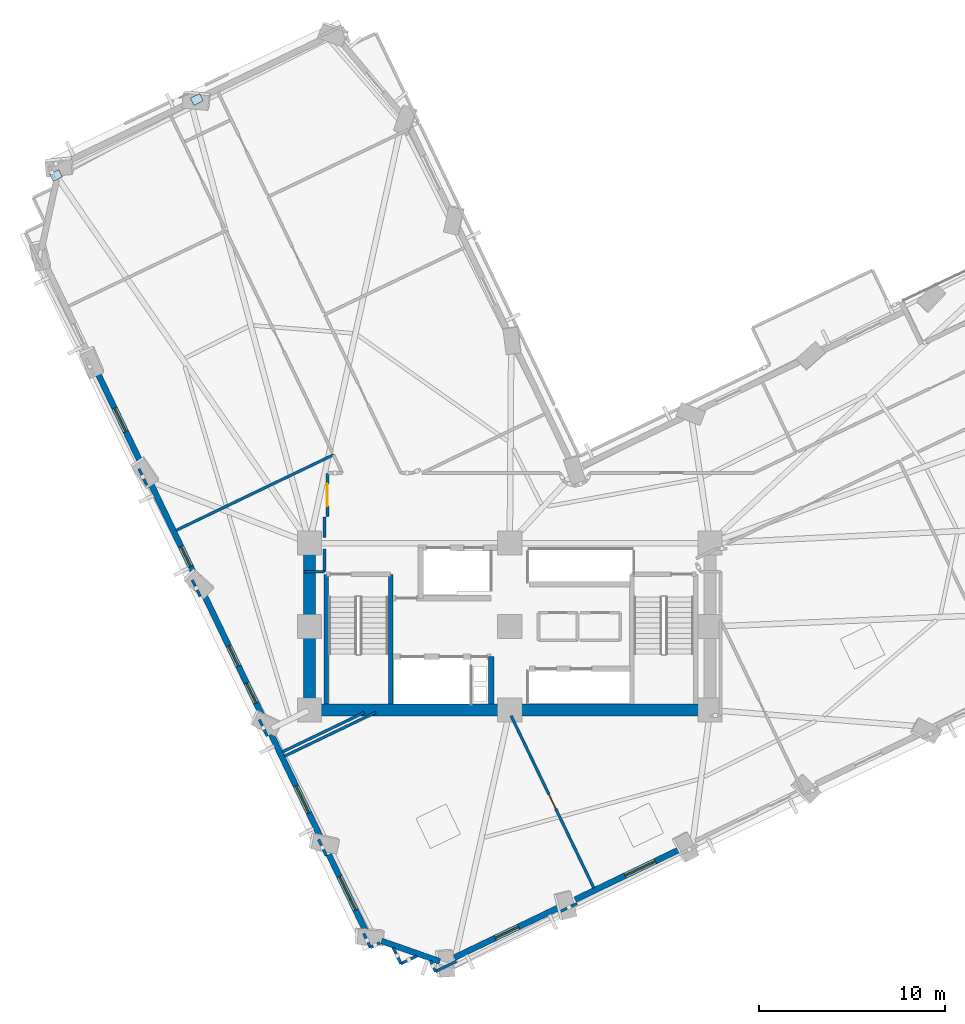
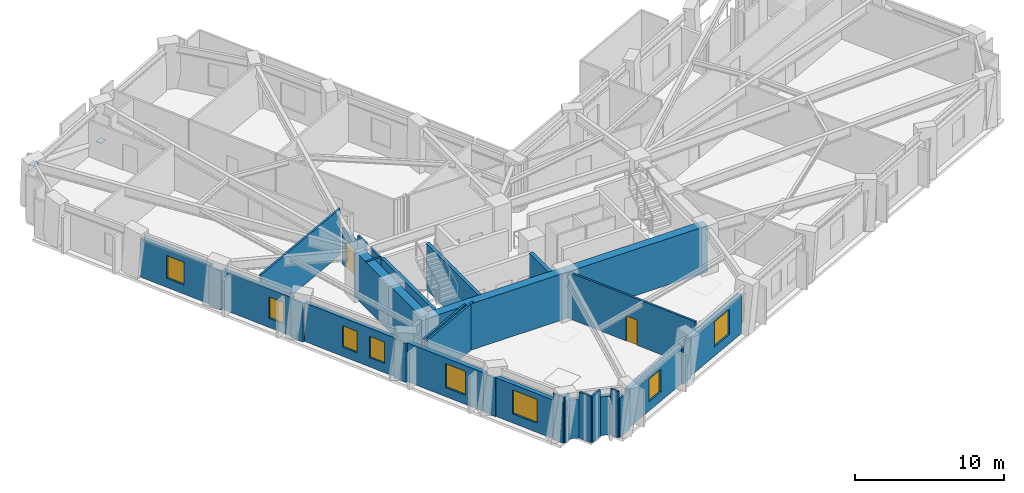
# One storey, part 7 of 16: 33 walls, 8 windows, 2 doors, 2 plates, 10 openings.
"""IFC4 building model written with IfcOpenShell, lengths in metres."""

from ifc_helpers import new_model, si_unit, direction, frame, frame_2d, origin, origin_2d, place, context, subcontext, project, spatial, rectangle, extrude, material, layer, layer_set, type_object, element, fill, save


model = new_model("IFC4")

# Units and contexts
model_context = context("Model", 3, precision=1e-05, world=origin(), true_north=direction((0.0, 1.0)))
body_context = subcontext(model_context, "Body", "Model", "MODEL_VIEW")
ifc_project = project(units=[si_unit("LENGTHUNIT", "METRE"), si_unit("AREAUNIT", "SQUARE_METRE"), si_unit("VOLUMEUNIT", "CUBIC_METRE"), si_unit("PLANEANGLEUNIT", "RADIAN"), si_unit("MASSUNIT", "GRAM", prefix="KILO")], contexts=[model_context])

# Site, building, storey
site_placement = place(None, origin())
site = spatial("IfcSite", under=ifc_project, at=site_placement, CompositionType="ELEMENT")
building_placement = place(site_placement, origin())
building = spatial("IfcBuilding", under=site, at=building_placement, Name="Gaonmaruhae Medical Tower", CompositionType="ELEMENT")
storey_placement = place(building_placement, frame((0.0, 0.0, 132.39990234375)))
storey = spatial("IfcBuildingStorey", under=building, at=storey_placement, Name="L31", CompositionType="ELEMENT", Elevation=132.39990234375)

# Plates
ifc_material_1 = material(Name="Steel HSA650 (650 MPa)", Category="steel")
ifc_layer_1 = layer(ifc_material_1, 0.028076171875)
ifc_layer_set_1 = layer_set([ifc_layer_1], Name="Steel HSA650 (650 MPa)")
plate_type = type_object("IfcPlateType", Name="GP-02 Tube Brace End Cap Gusset Plate", PredefinedType="USERDEFINED", material=ifc_layer_set_1)
for number, where, z_axis, x_axis, name in (
    (1, (7.934814453125, 40.707763671875, 0.23583984375), (0.0, 0.0, 1.0), (0.901455117112, 0.43287258152, 0.0), "L31 Gusset Cap Plate PLT-L31-PBR-N02A"),
    (2, (0.342529296875, 36.6083984375, 3.51611328125), (0.0, 0.0, 1.0), (0.894154236839, 0.447759087839, 0.0), "L31 Gusset Cap Plate PLT-L31-PBR-N02B"),
):
    element("IfcPlate", number, at=place(storey_placement, frame(where, z_axis=z_axis, x_axis=x_axis)), inside=storey, type_object=plate_type, Name=name, ObjectType="GUSSET_PLATE", PredefinedType="USERDEFINED", context=body_context, shape_type="SweptSolid", body=[
        extrude(rectangle(XDim=0.56005859375, YDim=0.43994140625, at=origin_2d()), origin(), (0.0, 0.0, 1.0), 0.028076171875),
    ])

# Walls
ifc_material_2 = material(Name="Concrete C60/75", Category="concrete")
ifc_layer_2 = layer(ifc_material_2, 0.64990234375)
ifc_layer_set_2 = layer_set([ifc_layer_2], Name="Concrete C60/75")
wall_type_1 = type_object("IfcWallType", Name="CW-650 Zone 2 Core Shear Wall", PredefinedType="SHEAR", material=ifc_layer_set_2)
for number, where, z_axis, x_axis, name in (
    (3, (14.0, 7.800048828125, 0.0), (0.0, 0.0, 1.0), (1.0, 0.0, 0.0), "L31 Core Shear Wall CSW-S1"),
    (4, (24.800048828125, 7.800048828125, 0.0), (0.0, 0.0, 1.0), (1.0, 0.0, 0.0), "L31 Core Shear Wall CSW-S2"),
):
    element("IfcWall", number, at=place(storey_placement, frame(where, z_axis=z_axis, x_axis=x_axis)), inside=storey, type_object=wall_type_1, Name=name, PredefinedType="SHEAR", context=body_context, shape_type="SweptSolid", body=[
        extrude(rectangle(XDim=10.800048828125, YDim=0.64990234375, at=frame_2d((5.39990234375, 0.0))), origin(), (0.0, 0.0, 1.0), 3.780029296875),
    ])
wall_1_placement = place(storey_placement, frame((14.0, 16.800048828125, 0.0), z_axis=(0.0, 0.0, 1.0), x_axis=(0.0, -1.0, 0.0)))
element("IfcWall", 5, at=wall_1_placement, inside=storey, type_object=wall_type_1, Name="L31 Core Shear Wall CSW-W1", PredefinedType="SHEAR", context=body_context, shape_type="SweptSolid", body=[
    extrude(rectangle(XDim=9.0, YDim=0.64990234375, at=frame_2d((4.5, 0.0))), origin(), (0.0, 0.0, 1.0), 3.780029296875),
])

# Wall, opening, window
ifc_material_3 = material(Name="Precast concrete C45/55", Category="concrete")
ifc_layer_3 = layer(ifc_material_3, 0.320068359375)
ifc_layer_set_3 = layer_set([ifc_layer_3], Name="Precast concrete C45/55")
wall_type_2 = type_object("IfcWallType", Name="EW-320 Lower Precast Masonry-Frame Facade Wall", PredefinedType="SOLIDWALL", material=ifc_layer_set_3)
wall_2_placement = place(storey_placement, frame((27.46484375, -2.828369140625, 0.0), z_axis=(0.0, 0.0, 1.0), x_axis=(-0.901454385559, -0.432874104974, 0.0)))
wall_2 = element("IfcWall", 6, at=wall_2_placement, inside=storey, type_object=wall_type_2, Name="L31 Precast Masonry-Frame Wall S01-S02", PredefinedType="SOLIDWALL", context=body_context, shape_type="SweptSolid", body=[
    extrude(rectangle(XDim=6.27001953125, YDim=0.320068359375, at=frame_2d((3.135009765625, 0.0))), origin(), (0.0, 0.0, 1.0), 3.1650390625),
])
opening_1_placement = place(wall_2_placement, frame((2.429443359375, 0.0, 0.75)))
opening_1 = element("IfcOpeningElement", 7, at=opening_1_placement, cuts=wall_2, Name="Opening WN-03", PredefinedType="OPENING", context=body_context, shape_type="SweptSolid", body=[
    extrude(rectangle(XDim=1.39990234375, YDim=1.85009765625, at=frame_2d((0.699951171875, 0.925048828125))), frame((0.0, 0.169921875, 0.0), z_axis=(0.0, -1.0, 0.0), x_axis=(1.0, 0.0, 0.0)), (0.0, 0.0, 1.0), 0.340087890625),
])
ifc_material_4 = material(Name="Anodised aluminium and Low-E double glazing", Category="aluminium")
window_type_1 = type_object("IfcWindowType", Name="WN-03 Isolation Ward Punched Window 1400x1850", PartitioningType="SINGLE_PANEL", PredefinedType="WINDOW", material=ifc_material_4)
window_1_placement = place(opening_1_placement, origin())
window_1 = element("IfcWindow", 8, at=window_1_placement, inside=storey, type_object=window_type_1, Name="L31 Modular Facade Window S01", OverallHeight=1.85009765625, OverallWidth=1.39990234375, PartitioningType="SINGLE_PANEL", PredefinedType="WINDOW", context=body_context, shape_type="SweptSolid", body=[
    extrude(rectangle(XDim=1.39990234375, YDim=1.85009765625, at=frame_2d((0.699951171875, 0.925048828125))), frame((0.0, 0.030029296875, 0.0), z_axis=(0.0, -1.0, 0.0), x_axis=(1.0, 0.0, 0.0)), (0.0, 0.0, 1.0), 0.06005859375),
])
fill(opening_1, window_1)

wall_3_placement = place(storey_placement, frame((33.9423828125, 0.281982421875, 0.0), z_axis=(0.0, 0.0, 1.0), x_axis=(-0.901463771703, -0.432854557914, 0.0)))
wall_3 = element("IfcWall", 9, at=wall_3_placement, inside=storey, type_object=wall_type_2, Name="L31 Precast Masonry-Frame Wall S02-S03", PredefinedType="SOLIDWALL", context=body_context, shape_type="SweptSolid", body=[
    extrude(rectangle(XDim=6.234130859375, YDim=0.320068359375, at=frame_2d((3.1171875, 0.0))), origin(), (0.0, 0.0, 1.0), 3.1650390625),
])
opening_2_placement = place(wall_3_placement, frame((1.444580078125, 0.0, 0.75)))
opening_2 = element("IfcOpeningElement", 10, at=opening_2_placement, cuts=wall_3, Name="Opening WN-04", PredefinedType="OPENING", context=body_context, shape_type="SweptSolid", body=[
    extrude(rectangle(XDim=1.800048828125, YDim=2.050048828125, at=frame_2d((0.89990234375, 1.02490234375))), frame((0.0, 0.169921875, 0.0), z_axis=(0.0, -1.0, 0.0), x_axis=(1.0, 0.0, 0.0)), (0.0, 0.0, 1.0), 0.340087890625),
])
window_type_2 = type_object("IfcWindowType", Name="WN-04 Clinic & Consult Punched Window 1800x2050", PartitioningType="SINGLE_PANEL", PredefinedType="WINDOW", material=ifc_material_4)
window_2_placement = place(opening_2_placement, origin())
window_2 = element("IfcWindow", 11, at=window_2_placement, inside=storey, type_object=window_type_2, Name="L31 Modular Facade Window S02", OverallHeight=2.050048828125, OverallWidth=1.800048828125, PartitioningType="SINGLE_PANEL", PredefinedType="WINDOW", context=body_context, shape_type="SweptSolid", body=[
    extrude(rectangle(XDim=1.800048828125, YDim=2.050048828125, at=frame_2d((0.89990234375, 1.02490234375))), frame((0.0, 0.030029296875, 0.0), z_axis=(0.0, -1.0, 0.0), x_axis=(1.0, 0.0, 0.0)), (0.0, 0.0, 1.0), 0.06005859375),
])
fill(opening_2, window_2)

wall_4_placement = place(storey_placement, frame((5.018310546875, 20.907470703125, 0.0), z_axis=(0.0, 0.0, 1.0), x_axis=(-0.432857991495, 0.901462122997, 0.0)))
wall_4 = element("IfcWall", 12, at=wall_4_placement, inside=storey, type_object=wall_type_2, Name="L31 Precast Masonry-Frame Wall W02-W03", PredefinedType="SOLIDWALL", context=body_context, shape_type="SweptSolid", body=[
    extrude(rectangle(XDim=5.627685546875, YDim=0.320068359375, at=frame_2d((2.81396484375, 0.0))), origin(), (0.0, 0.0, 1.0), 3.1650390625),
])
opening_3_placement = place(wall_4_placement, frame((2.111083984375, 0.0, 0.75)))
opening_3 = element("IfcOpeningElement", 13, at=opening_3_placement, cuts=wall_4, Name="Opening WN-03", PredefinedType="OPENING", context=body_context, shape_type="SweptSolid", body=[
    extrude(rectangle(XDim=1.39990234375, YDim=1.85009765625, at=frame_2d((0.699951171875, 0.925048828125))), frame((0.0, 0.169921875, 0.0), z_axis=(0.0, -1.0, 0.0), x_axis=(1.0, 0.0, 0.0)), (0.0, 0.0, 1.0), 0.340087890625),
])
window_3_placement = place(opening_3_placement, origin())
window_3 = element("IfcWindow", 14, at=window_3_placement, inside=storey, type_object=window_type_1, Name="L31 Modular Facade Window W02", OverallHeight=1.85009765625, OverallWidth=1.39990234375, PartitioningType="SINGLE_PANEL", PredefinedType="WINDOW", context=body_context, shape_type="SweptSolid", body=[
    extrude(rectangle(XDim=1.39990234375, YDim=1.85009765625, at=frame_2d((0.699951171875, 0.925048828125))), frame((0.0, 0.030029296875, 0.0), z_axis=(0.0, -1.0, 0.0), x_axis=(1.0, 0.0, 0.0)), (0.0, 0.0, 1.0), 0.06005859375),
])
fill(opening_3, window_3)

wall_5_placement = place(storey_placement, frame((7.894775390625, 14.91748046875, 0.0), z_axis=(0.0, 0.0, 1.0), x_axis=(-0.432875447472, 0.901453740896, 0.0)))
wall_5 = element("IfcWall", 15, at=wall_5_placement, inside=storey, type_object=wall_type_2, Name="L31 Precast Masonry-Frame Wall W03-W04", PredefinedType="SOLIDWALL", context=body_context, shape_type="SweptSolid", body=[
    extrude(rectangle(XDim=5.661865234375, YDim=0.320068359375, at=frame_2d((2.8310546875, 0.0))), origin(), (0.0, 0.0, 1.0), 3.1650390625),
])
opening_4_placement = place(wall_5_placement, frame((0.685791015625, 0.0, 0.75)))
opening_4 = element("IfcOpeningElement", 16, at=opening_4_placement, cuts=wall_5, Name="Opening WN-05", PredefinedType="OPENING", context=body_context, shape_type="SweptSolid", body=[
    extrude(rectangle(XDim=1.199951171875, YDim=1.75, at=frame_2d((0.60009765625, 0.875))), frame((0.0, 0.169921875, 0.0), z_axis=(0.0, -1.0, 0.0), x_axis=(1.0, 0.0, 0.0)), (0.0, 0.0, 1.0), 0.340087890625),
])
window_type_3 = type_object("IfcWindowType", Name="WN-05 Support & Staff Punched Window 1200x1750", PartitioningType="SINGLE_PANEL", PredefinedType="WINDOW", material=ifc_material_4)
window_4_placement = place(opening_4_placement, origin())
window_4 = element("IfcWindow", 17, at=window_4_placement, inside=storey, type_object=window_type_3, Name="L31 Modular Facade Window W03", OverallHeight=1.75, OverallWidth=1.199951171875, PartitioningType="SINGLE_PANEL", PredefinedType="WINDOW", context=body_context, shape_type="SweptSolid", body=[
    extrude(rectangle(XDim=1.199951171875, YDim=1.75, at=frame_2d((0.60009765625, 0.875))), frame((0.0, 0.030029296875, 0.0), z_axis=(0.0, -1.0, 0.0), x_axis=(1.0, 0.0, 0.0)), (0.0, 0.0, 1.0), 0.06005859375),
])
fill(opening_4, window_4)

# Wall, openings, windows
wall_6_placement = place(storey_placement, frame((11.51025390625, 7.38818359375, 0.0), z_axis=(0.0, 0.0, 1.0), x_axis=(-0.43286693409, 0.901457828948, 0.0)))
wall_6 = element("IfcWall", 18, at=wall_6_placement, inside=storey, type_object=wall_type_2, Name="L31 Precast Masonry-Frame Wall W04-W05", PredefinedType="SOLIDWALL", context=body_context, shape_type="SweptSolid", body=[
    extrude(rectangle(XDim=7.3603515625, YDim=0.320068359375, at=frame_2d((3.68017578125, 0.0))), origin(), (0.0, 0.0, 1.0), 3.1650390625),
])
opening_5_placement = place(wall_6_placement, frame((3.080810546875, 0.0, 0.75)))
opening_5 = element("IfcOpeningElement", 19, at=opening_5_placement, cuts=wall_6, Name="Opening WN-05", PredefinedType="OPENING", context=body_context, shape_type="SweptSolid", body=[
    extrude(rectangle(XDim=1.199951171875, YDim=1.75, at=frame_2d((0.60009765625, 0.875))), frame((0.0, 0.169921875, 0.0), z_axis=(0.0, -1.0, 0.0), x_axis=(1.0, 0.0, 0.0)), (0.0, 0.0, 1.0), 0.340087890625),
])
opening_6_placement = place(wall_6_placement, frame((0.876220703125, 0.0, 0.75)))
opening_6 = element("IfcOpeningElement", 20, at=opening_6_placement, cuts=wall_6, Name="Opening WN-05", PredefinedType="OPENING", context=body_context, shape_type="SweptSolid", body=[
    extrude(rectangle(XDim=1.199951171875, YDim=1.75, at=frame_2d((0.60009765625, 0.875))), frame((0.0, 0.169921875, 0.0), z_axis=(0.0, -1.0, 0.0), x_axis=(1.0, 0.0, 0.0)), (0.0, 0.0, 1.0), 0.340087890625),
])
window_5_placement = place(opening_5_placement, origin())
window_5 = element("IfcWindow", 21, at=window_5_placement, inside=storey, type_object=window_type_3, Name="L31 Modular Facade Window W04", OverallHeight=1.75, OverallWidth=1.199951171875, PartitioningType="SINGLE_PANEL", PredefinedType="WINDOW", context=body_context, shape_type="SweptSolid", body=[
    extrude(rectangle(XDim=1.199951171875, YDim=1.75, at=frame_2d((0.60009765625, 0.875))), frame((0.0, 0.030029296875, 0.0), z_axis=(0.0, -1.0, 0.0), x_axis=(1.0, 0.0, 0.0)), (0.0, 0.0, 1.0), 0.06005859375),
])
fill(opening_5, window_5)
window_6_placement = place(opening_6_placement, origin())
window_6 = element("IfcWindow", 22, at=window_6_placement, inside=storey, type_object=window_type_3, Name="L31 Modular Facade Window W04B", OverallHeight=1.75, OverallWidth=1.199951171875, PartitioningType="SINGLE_PANEL", PredefinedType="WINDOW", context=body_context, shape_type="SweptSolid", body=[
    extrude(rectangle(XDim=1.199951171875, YDim=1.75, at=frame_2d((0.60009765625, 0.875))), frame((0.0, 0.030029296875, 0.0), z_axis=(0.0, -1.0, 0.0), x_axis=(1.0, 0.0, 0.0)), (0.0, 0.0, 1.0), 0.06005859375),
])
fill(opening_6, window_6)

# Wall, opening, window
wall_7_placement = place(storey_placement, frame((14.631103515625, 0.888916015625, 0.0), z_axis=(0.0, 0.0, 1.0), x_axis=(-0.432861148753, 0.90146060696, 0.0)))
wall_7 = element("IfcWall", 23, at=wall_7_placement, inside=storey, type_object=wall_type_2, Name="L31 Precast Masonry-Frame Wall W05-W06", PredefinedType="SOLIDWALL", context=body_context, shape_type="SweptSolid", body=[
    extrude(rectangle(XDim=6.223388671875, YDim=0.320068359375, at=frame_2d((3.11181640625, 0.0))), origin(), (0.0, 0.0, 1.0), 3.1650390625),
])
opening_7_placement = place(wall_7_placement, frame((1.520263671875, 0.0, 0.75)))
opening_7 = element("IfcOpeningElement", 24, at=opening_7_placement, cuts=wall_7, Name="Opening WN-01", PredefinedType="OPENING", context=body_context, shape_type="SweptSolid", body=[
    extrude(rectangle(XDim=1.60009765625, YDim=1.949951171875, at=frame_2d((0.800048828125, 0.97509765625))), frame((0.0, 0.169921875, 0.0), z_axis=(0.0, -1.0, 0.0), x_axis=(1.0, 0.0, 0.0)), (0.0, 0.0, 1.0), 0.340087890625),
])
window_type_4 = type_object("IfcWindowType", Name="WN-01 Ward Punched Acoustic Window 1600x1950", PartitioningType="SINGLE_PANEL", PredefinedType="WINDOW", material=ifc_material_4)
window_7_placement = place(opening_7_placement, origin())
window_7 = element("IfcWindow", 25, at=window_7_placement, inside=storey, type_object=window_type_4, Name="L31 Modular Facade Window W05", OverallHeight=1.949951171875, OverallWidth=1.60009765625, PartitioningType="SINGLE_PANEL", PredefinedType="WINDOW", context=body_context, shape_type="SweptSolid", body=[
    extrude(rectangle(XDim=1.60009765625, YDim=1.949951171875, at=frame_2d((0.800048828125, 0.97509765625))), frame((0.0, 0.030029296875, 0.0), z_axis=(0.0, -1.0, 0.0), x_axis=(1.0, 0.0, 0.0)), (0.0, 0.0, 1.0), 0.06005859375),
])
fill(opening_7, window_7)

wall_8_placement = place(storey_placement, frame((17.06103515625, -4.171142578125, 0.0), z_axis=(0.0, 0.0, 1.0), x_axis=(-0.432867688068, 0.901457466898, 0.0)))
wall_8 = element("IfcWall", 26, at=wall_8_placement, inside=storey, type_object=wall_type_2, Name="L31 Precast Masonry-Frame Wall W06-W07", PredefinedType="SOLIDWALL", context=body_context, shape_type="SweptSolid", body=[
    extrude(rectangle(XDim=4.6474609375, YDim=0.320068359375, at=frame_2d((2.32373046875, 0.0))), origin(), (0.0, 0.0, 1.0), 3.1650390625),
])
opening_8_placement = place(wall_8_placement, frame((1.3271484375, 0.0, 0.75)))
opening_8 = element("IfcOpeningElement", 27, at=opening_8_placement, cuts=wall_8, Name="Opening WN-02", PredefinedType="OPENING", context=body_context, shape_type="SweptSolid", body=[
    extrude(rectangle(XDim=2.0, YDim=1.949951171875, at=frame_2d((1.0, 0.97509765625))), frame((0.0, 0.169921875, 0.0), z_axis=(0.0, -1.0, 0.0), x_axis=(1.0, 0.0, 0.0)), (0.0, 0.0, 1.0), 0.340087890625),
])
window_type_5 = type_object("IfcWindowType", Name="WN-02 Double-Bed Ward Punched Window 2000x1950", PartitioningType="SINGLE_PANEL", PredefinedType="WINDOW", material=ifc_material_4)
window_8_placement = place(opening_8_placement, origin())
window_8 = element("IfcWindow", 28, at=window_8_placement, inside=storey, type_object=window_type_5, Name="L31 Modular Facade Window W06", OverallHeight=1.949951171875, OverallWidth=2.0, PartitioningType="SINGLE_PANEL", PredefinedType="WINDOW", context=body_context, shape_type="SweptSolid", body=[
    extrude(rectangle(XDim=2.0, YDim=1.949951171875, at=frame_2d((1.0, 0.97509765625))), frame((0.0, 0.030029296875, 0.0), z_axis=(0.0, -1.0, 0.0), x_axis=(1.0, 0.0, 0.0)), (0.0, 0.0, 1.0), 0.06005859375),
])
fill(opening_8, window_8)

# Walls
wall_9_placement = place(storey_placement, frame((21.02587890625, -5.74560546875, 0.0), z_axis=(0.0, 0.0, 1.0), x_axis=(-0.943522230057, 0.331309223217, 0.0)))
element("IfcWall", 29, at=wall_9_placement, inside=storey, type_object=wall_type_2, Name="L31 Precast Masonry-Frame Wall W07-S01", PredefinedType="SOLIDWALL", context=body_context, shape_type="SweptSolid", body=[
    extrude(rectangle(XDim=3.32275390625, YDim=0.320068359375, at=frame_2d((1.661376953125, 0.0))), origin(), (0.0, 0.0, 1.0), 3.1650390625),
])
ifc_material_5 = material(Name="Gypsum board partition", Category="gypsum")
ifc_layer_4 = layer(ifc_material_5, 0.14990234375)
ifc_layer_set_4 = layer_set([ifc_layer_4], Name="Gypsum board partition")
wall_type_3 = type_object("IfcWallType", Name="PW-150 Rated Clinical Corridor Partition", PredefinedType="PARTITIONING", material=ifc_layer_set_4)
wall_10_placement = place(storey_placement, frame((18.931884765625, -5.8720703125, 0.0), z_axis=(0.0, 0.0, 1.0), x_axis=(-0.433218935263, 0.901288718519, 0.0)))
element("IfcWall", 30, at=wall_10_placement, inside=storey, type_object=wall_type_3, Name="L31 Interior Partition L31-SUP01-8", PredefinedType="PARTITIONING", context=body_context, shape_type="SweptSolid", body=[
    extrude(rectangle(XDim=0.959716796875, YDim=0.14990234375, at=frame_2d((0.47998046875, 0.0))), origin(), (0.0, 0.0, 1.0), 3.780029296875),
])
wall_11_placement = place(storey_placement, frame((17.804931640625, -4.7490234375, 0.0), z_axis=(0.0, 0.0, 1.0), x_axis=(-0.901255639805, -0.433287747023, 0.0)))
element("IfcWall", 31, at=wall_11_placement, inside=storey, type_object=wall_type_3, Name="L31 Interior Partition L31-SUP01-9", PredefinedType="PARTITIONING", context=body_context, shape_type="SweptSolid", body=[
    extrude(rectangle(XDim=0.5703125, YDim=0.14990234375, at=frame_2d((0.28515625, 0.0))), origin(), (0.0, 0.0, 1.0), 3.780029296875),
])
wall_12_placement = place(storey_placement, frame((17.291015625, -4.99609375, 0.0), z_axis=(0.0, 0.0, 1.0), x_axis=(-0.432909923348, 0.90143718487, 0.0)))
element("IfcWall", 32, at=wall_12_placement, inside=storey, type_object=wall_type_3, Name="L31 Interior Partition L31-SUP01-10", PredefinedType="PARTITIONING", context=body_context, shape_type="SweptSolid", body=[
    extrude(rectangle(XDim=0.843017578125, YDim=0.14990234375, at=frame_2d((0.42138671875, 0.0))), origin(), (0.0, 0.0, 1.0), 3.780029296875),
])
wall_13_placement = place(storey_placement, frame((14.9140625, -0.047119140625, 0.0), z_axis=(0.0, 0.0, 1.0), x_axis=(-0.432599626472, 0.901586137414, 0.0)))
element("IfcWall", 33, at=wall_13_placement, inside=storey, type_object=wall_type_3, Name="L31 Interior Partition L31-SUP01-11", PredefinedType="PARTITIONING", context=body_context, shape_type="SweptSolid", body=[
    extrude(rectangle(XDim=0.966064453125, YDim=0.14990234375, at=frame_2d((0.48291015625, 0.0))), origin(), (0.0, 0.0, 1.0), 3.1650390625),
])
wall_14_placement = place(storey_placement, frame((12.656005859375, 5.31396484375, 0.0), z_axis=(0.0, 0.0, 1.0), x_axis=(0.901456693358, 0.43286929898, 0.0)))
element("IfcWall", 34, at=wall_14_placement, inside=storey, type_object=wall_type_3, Name="L31 Interior Partition L31-SUP01-12", PredefinedType="PARTITIONING", context=body_context, shape_type="SweptSolid", body=[
    extrude(rectangle(XDim=5.45458984375, YDim=0.14990234375, at=frame_2d((2.727294921875, 0.0))), origin(), (0.0, 0.0, 1.0), 3.780029296875),
])

# Wall, opening, door
wall_15_placement = place(storey_placement, frame((24.867919921875, 7.5, 0.0), z_axis=(0.0, 0.0, 1.0), x_axis=(0.43290674934, -0.901438709162, 0.0)))
wall_15 = element("IfcWall", 35, at=wall_15_placement, inside=storey, type_object=wall_type_3, Name="L31 Interior Partition L31-SUP01-13", PredefinedType="PARTITIONING", context=body_context, shape_type="SweptSolid", body=[
    extrude(rectangle(XDim=10.300048828125, YDim=0.14990234375, at=frame_2d((5.14990234375, 0.0))), origin(), (0.0, 0.0, 1.0), 3.780029296875),
])
opening_9_placement = place(wall_15_placement, frame((4.72021484375, 0.0, 0.0)))
opening_9 = element("IfcOpeningElement", 36, at=opening_9_placement, cuts=wall_15, Name="Opening AD-01", PredefinedType="OPENING", context=body_context, shape_type="SweptSolid", body=[
    extrude(rectangle(XDim=0.860107421875, YDim=2.06005859375, at=frame_2d((0.43017578125, 1.030029296875))), frame((0.0, 0.0849609375, 0.0), z_axis=(0.0, -1.0, 0.0), x_axis=(1.0, 0.0, 0.0)), (0.0, 0.0, 1.0), 0.169921875),
])
ifc_material_6 = material(Name="Powder-coated steel access door", Category="steel")
door_type_1 = type_object("IfcDoorType", Name="AD-01 Riser & Closet Access Fire Door 860x2060", OperationType="NOTDEFINED", PredefinedType="DOOR", material=ifc_material_6)
door_1_placement = place(opening_9_placement, origin())
door_1 = element("IfcDoor", 37, at=door_1_placement, inside=storey, type_object=door_type_1, Name="L31 Clinical Biomedical Charting Office Sliding Door", OperationType="SLIDING_TO_LEFT", OverallHeight=2.06005859375, OverallWidth=0.860107421875, PredefinedType="DOOR", context=body_context, shape_type="SweptSolid", body=[
    extrude(rectangle(XDim=0.860107421875, YDim=2.06005859375, at=frame_2d((0.43017578125, 1.030029296875))), frame((0.0, 0.02490234375, 0.0), z_axis=(0.0, -1.0, 0.0), x_axis=(1.0, 0.0, 0.0)), (0.0, 0.0, 1.0), 0.050048828125),
])
fill(opening_9, door_1)

# Walls
wall_16_placement = place(storey_placement, frame((28.422119140625, -2.6240234375, 0.0), z_axis=(0.0, 0.0, 1.0), x_axis=(-0.901350725283, -0.43308990987, 0.0)))
element("IfcWall", 38, at=wall_16_placement, inside=storey, type_object=wall_type_3, Name="L31 Interior Partition L31-SUP01-14", PredefinedType="PARTITIONING", context=body_context, shape_type="SweptSolid", body=[
    extrude(rectangle(XDim=0.950927734375, YDim=0.14990234375, at=frame_2d((0.4755859375, 0.0))), origin(), (0.0, 0.0, 1.0), 3.1650390625),
])
wall_17_placement = place(storey_placement, frame((21.9130859375, -5.75, 0.0), z_axis=(0.0, 0.0, 1.0), x_axis=(-0.901400173432, -0.432986982871, 0.0)))
element("IfcWall", 39, at=wall_17_placement, inside=storey, type_object=wall_type_3, Name="L31 Interior Partition L31-SUP01-15", PredefinedType="PARTITIONING", context=body_context, shape_type="SweptSolid", body=[
    extrude(rectangle(XDim=1.240478515625, YDim=0.14990234375, at=frame_2d((0.6201171875, 0.0))), origin(), (0.0, 0.0, 1.0), 3.1650390625),
])
wall_18_placement = place(storey_placement, frame((20.794921875, -6.287109375, 0.0), z_axis=(0.0, 0.0, 1.0), x_axis=(-0.43250786823, 0.901630159167, 0.0)))
element("IfcWall", 40, at=wall_18_placement, inside=storey, type_object=wall_type_3, Name="L31 Interior Partition L31-SUP01-16", PredefinedType="PARTITIONING", context=body_context, shape_type="SweptSolid", body=[
    extrude(rectangle(XDim=0.64013671875, YDim=0.14990234375, at=frame_2d((0.320068359375, 0.0))), origin(), (0.0, 0.0, 1.0), 3.780029296875),
])
wall_19_placement = place(storey_placement, frame((19.7958984375, -5.45703125, 0.0), z_axis=(0.0, 0.0, 1.0), x_axis=(-0.901395832365, -0.432996020068, 0.0)))
element("IfcWall", 41, at=wall_19_placement, inside=storey, type_object=wall_type_3, Name="L31 Interior Partition L31-SUP01-17", PredefinedType="PARTITIONING", context=body_context, shape_type="SweptSolid", body=[
    extrude(rectangle(XDim=0.95849609375, YDim=0.14990234375, at=frame_2d((0.479248046875, 0.0))), origin(), (0.0, 0.0, 1.0), 3.780029296875),
])

# Wall, opening, door
wall_20_placement = place(storey_placement, frame((14.969970703125, 20.550048828125, 0.0), z_axis=(0.0, 0.0, 1.0), x_axis=(0.0, -1.0, 0.0)))
wall_20 = element("IfcWall", 42, at=wall_20_placement, inside=storey, type_object=wall_type_3, Name="L31 Interior Partition L31-WOF05-38", PredefinedType="PARTITIONING", context=body_context, shape_type="SweptSolid", body=[
    extrude(rectangle(XDim=2.320068359375, YDim=0.14990234375, at=frame_2d((1.16015625, 0.0))), origin(), (0.0, 0.0, 1.0), 2.965087890625),
])
opening_10_placement = place(wall_20_placement, frame((0.56005859375, 0.0, 0.0)))
opening_10 = element("IfcOpeningElement", 43, at=opening_10_placement, cuts=wall_20, Name="Opening CD-02", PredefinedType="OPENING", context=body_context, shape_type="SweptSolid", body=[
    extrude(rectangle(XDim=1.199951171875, YDim=2.14990234375, at=frame_2d((0.60009765625, 1.074951171875))), frame((0.0, 0.0849609375, 0.0), z_axis=(0.0, -1.0, 0.0), x_axis=(1.0, 0.0, 0.0)), (0.0, 0.0, 1.0), 0.169921875),
])
ifc_material_7 = material(Name="Antimicrobial laminate timber fire door", Category="wood")
door_type_2 = type_object("IfcDoorType", Name="CD-02 Clinical Treatment & Procedure Door 1200x2150", OperationType="NOTDEFINED", PredefinedType="DOOR", material=ifc_material_7)
door_2_placement = place(opening_10_placement, origin())
door_2 = element("IfcDoor", 44, at=door_2_placement, inside=storey, type_object=door_type_2, Name="L31 Ward Physician Reporting Office Door", OperationType="SINGLE_SWING_RIGHT", OverallHeight=2.14990234375, OverallWidth=1.199951171875, PredefinedType="DOOR", context=body_context, shape_type="SweptSolid", body=[
    extrude(rectangle(XDim=1.199951171875, YDim=2.14990234375, at=frame_2d((0.60009765625, 1.074951171875))), frame((0.0, 0.02490234375, 0.0), z_axis=(0.0, -1.0, 0.0), x_axis=(1.0, 0.0, 0.0)), (0.0, 0.0, 1.0), 0.050048828125),
])
fill(opening_10, door_2)

# Walls
wall_21_placement = place(storey_placement, frame((14.820068359375, 18.199951171875, 0.0), z_axis=(0.0, 0.0, 1.0), x_axis=(0.0, -1.0, 0.0)))
element("IfcWall", 45, at=wall_21_placement, inside=storey, type_object=wall_type_3, Name="L31 Interior Partition L31-WOF05-39", PredefinedType="PARTITIONING", context=body_context, shape_type="SweptSolid", body=[
    extrude(rectangle(XDim=1.091064453125, YDim=0.14990234375, at=frame_2d((0.54541015625, 0.0))), origin(), (0.0, 0.0, 1.0), 3.780029296875),
])
wall_22_placement = place(storey_placement, frame((14.820068359375, 16.490966796875, 0.0), z_axis=(0.0, 0.0, 1.0), x_axis=(0.0, -1.0, 0.0)))
element("IfcWall", 46, at=wall_22_placement, inside=storey, type_object=wall_type_3, Name="L31 Interior Partition L31-WOF05-40", PredefinedType="PARTITIONING", context=body_context, shape_type="SweptSolid", body=[
    extrude(rectangle(XDim=1.23095703125, YDim=0.14990234375, at=frame_2d((0.615478515625, 0.0))), origin(), (0.0, 0.0, 1.0), 3.780029296875),
])
wall_23_placement = place(storey_placement, frame((14.820068359375, 15.260009765625, 0.0), z_axis=(0.0, 0.0, 1.0), x_axis=(-1.0, 0.0, 0.0)))
element("IfcWall", 47, at=wall_23_placement, inside=storey, type_object=wall_type_3, Name="L31 Interior Partition L31-WOF05-41", PredefinedType="PARTITIONING", context=body_context, shape_type="SweptSolid", body=[
    extrude(rectangle(XDim=1.1201171875, YDim=0.14990234375, at=frame_2d((0.56005859375, 0.0))), origin(), (0.0, 0.0, 1.0), 3.780029296875),
])
wall_24_placement = place(storey_placement, frame((16.971923828125, 7.675048828125, 0.0), z_axis=(0.0, 0.0, 1.0), x_axis=(-0.901402036938, -0.432983103369, 0.0)))
element("IfcWall", 48, at=wall_24_placement, inside=storey, type_object=wall_type_3, Name="L31 Interior Partition L31-WOF05-42", PredefinedType="PARTITIONING", context=body_context, shape_type="SweptSolid", body=[
    extrude(rectangle(XDim=4.912353515625, YDim=0.14990234375, at=frame_2d((2.4560546875, 0.0))), origin(), (0.0, 0.0, 1.0), 3.780029296875),
])
wall_25_placement = place(storey_placement, frame((11.72998046875, 6.39990234375, 0.0), z_axis=(0.0, 0.0, 1.0), x_axis=(-0.432900038222, 0.901441932078, 0.0)))
element("IfcWall", 49, at=wall_25_placement, inside=storey, type_object=wall_type_3, Name="L31 Interior Partition L31-WOF05-43", PredefinedType="PARTITIONING", context=body_context, shape_type="SweptSolid", body=[
    extrude(rectangle(XDim=0.986328125, YDim=0.14990234375, at=frame_2d((0.4931640625, 0.0))), origin(), (0.0, 0.0, 1.0), 3.1650390625),
])
wall_26_placement = place(storey_placement, frame((8.116943359375, 13.923095703125, 0.0), z_axis=(0.0, 0.0, 1.0), x_axis=(-0.432994834591, 0.901396401822, 0.0)))
element("IfcWall", 50, at=wall_26_placement, inside=storey, type_object=wall_type_3, Name="L31 Interior Partition L31-WOF05-44", PredefinedType="PARTITIONING", context=body_context, shape_type="SweptSolid", body=[
    extrude(rectangle(XDim=0.992919921875, YDim=0.14990234375, at=frame_2d((0.49658203125, 0.0))), origin(), (0.0, 0.0, 1.0), 3.1650390625),
])
wall_27_placement = place(storey_placement, frame((6.81201171875, 17.48291015625, 0.0), z_axis=(0.0, 0.0, 1.0), x_axis=(0.90144374065, 0.432896272152, 0.0)))
element("IfcWall", 51, at=wall_27_placement, inside=storey, type_object=wall_type_3, Name="L31 Interior Partition L31-WOF05-45", PredefinedType="PARTITIONING", context=body_context, shape_type="SweptSolid", body=[
    extrude(rectangle(XDim=9.416015625, YDim=0.14990234375, at=frame_2d((4.7080078125, 0.0))), origin(), (0.0, 0.0, 1.0), 3.780029296875),
])
wall_28_placement = place(storey_placement, frame((5.237060546875, 19.922119140625, 0.0), z_axis=(0.0, 0.0, 1.0), x_axis=(-0.433352621077, 0.901224448074, 0.0)))
element("IfcWall", 52, at=wall_28_placement, inside=storey, type_object=wall_type_3, Name="L31 Interior Partition L31-WOF06-50", PredefinedType="PARTITIONING", context=body_context, shape_type="SweptSolid", body=[
    extrude(rectangle(XDim=0.983154296875, YDim=0.14990234375, at=frame_2d((0.49169921875, 0.0))), origin(), (0.0, 0.0, 1.0), 3.1650390625),
])
ifc_material_8 = material(Name="Concrete C50/60", Category="concrete")
ifc_layer_5 = layer(ifc_material_8, 0.239990234375)
ifc_layer_set_5 = layer_set([ifc_layer_5], Name="Concrete C50/60")
wall_type_4 = type_object("IfcWallType", Name="SW-240 Dogleg Stair Tight Shaft Wall", PredefinedType="SOLIDWALL", material=ifc_layer_set_5)
for number, where, z_axis, x_axis, name in (
    (53, (18.3798828125, 15.1201171875, 0.0), (0.0, 0.0, 1.0), (0.0, -1.0, 0.0), "L31 ST-01 Stair Shaft Wall SHW-ST-01-E"),
    (54, (14.919921875, 8.125, 0.0), (0.0, 0.0, 1.0), (0.0, 1.0, 0.0), "L31 ST-01 Stair Shaft Wall SHW-ST-01-W"),
):
    element("IfcWall", number, at=place(storey_placement, frame(where, z_axis=z_axis, x_axis=x_axis)), inside=storey, type_object=wall_type_4, Name=name, PredefinedType="SOLIDWALL", context=body_context, shape_type="SweptSolid", body=[
        extrude(rectangle(XDim=6.9951171875, YDim=0.239990234375, at=frame_2d((3.49755859375, 0.0))), origin(), (0.0, 0.0, 1.0), 3.780029296875),
    ])
ifc_layer_6 = layer(ifc_material_8, 0.300048828125)
ifc_layer_set_6 = layer_set([ifc_layer_6], Name="Concrete C50/60")
wall_type_5 = type_object("IfcWallType", Name="SW-300 Stair & Lift Hoistway Shaft Wall", PredefinedType="SOLIDWALL", material=ifc_layer_set_6)
wall_29_placement = place(storey_placement, frame((23.800048828125, 8.125, 0.0), z_axis=(0.0, 0.0, 1.0), x_axis=(0.0, 1.0, 0.0)))
element("IfcWall", 55, at=wall_29_placement, inside=storey, type_object=wall_type_5, Name="L31 Shaft Enclosure Wall SHW-FFE", PredefinedType="SOLIDWALL", context=body_context, shape_type="SweptSolid", body=[
    extrude(rectangle(XDim=2.554931640625, YDim=0.300048828125, at=frame_2d((1.27734375, 0.0))), origin(), (0.0, 0.0, 1.0), 3.780029296875),
])

save(model, "model.ifc")
